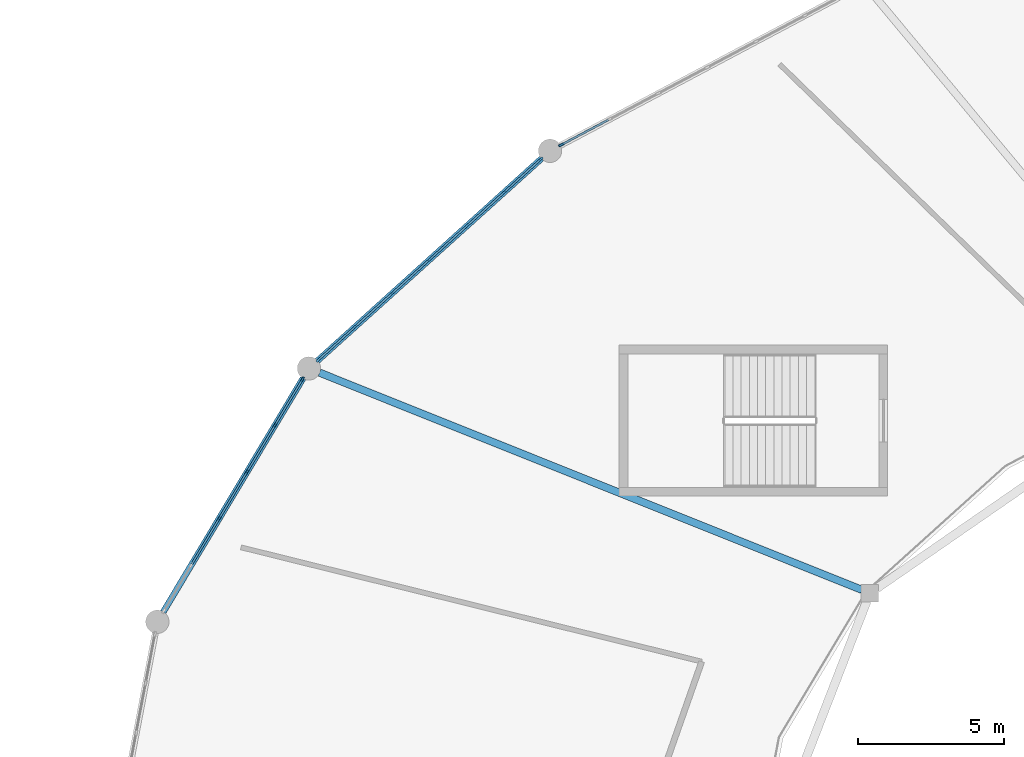
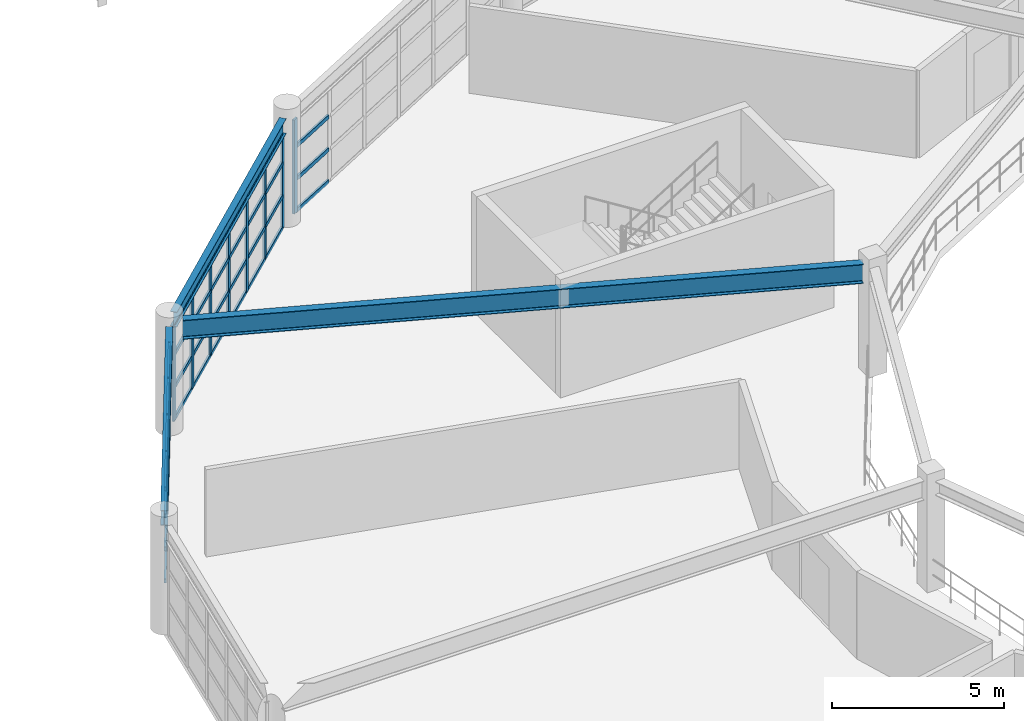
# One storey, part 35 of 100: 55 members, 3 beams, 3 elements without a shape of their own.
"""IFC4 building model written with IfcOpenShell, lengths in metres."""

from ifc_helpers import new_model, si_unit, direction, frame, origin, origin_2d, place, context, subcontext, project, spatial, rectangle, i_section, extrude, material, layer, layer_set, material_profile, profile_set, type_object, element, aggregate, save


model = new_model("IFC4")

# Units and contexts
model_context = context("Model", 3, precision=1e-05, world=origin(), true_north=direction((0.0, 1.0)))
body_context = subcontext(model_context, "Body", "Model", "MODEL_VIEW")
ifc_project = project(units=[si_unit("LENGTHUNIT", "METRE"), si_unit("AREAUNIT", "SQUARE_METRE"), si_unit("VOLUMEUNIT", "CUBIC_METRE"), si_unit("PLANEANGLEUNIT", "RADIAN"), si_unit("MASSUNIT", "GRAM", prefix="KILO")], contexts=[model_context])

# Site, building, storey
site_placement = place(None, origin())
site = spatial("IfcSite", under=ifc_project, at=site_placement, CompositionType="ELEMENT")
building_placement = place(site_placement, origin())
building = spatial("IfcBuilding", under=site, at=building_placement, Name="Kivolera Central Railway Station", CompositionType="ELEMENT")
storey_placement = place(building_placement, frame((0.0, 0.0, 5.39990234375)))
storey = spatial("IfcBuildingStorey", under=building, at=storey_placement, Name="L01", CompositionType="ELEMENT", Elevation=5.39990234375)

# Beams
ifc_material_1 = material(Name="Steel S355", Category="steel")
ifc_material_profile_1 = material_profile(ifc_material_1, i_section(OverallWidth=0.209228515625, OverallDepth=0.533203125, WebThickness=0.010009765625, FlangeThickness=0.015625, FilletRadius=0.0126953125, at=origin_2d()), Name="UB 533x210x92")
ifc_profile_set_1 = profile_set([ifc_material_profile_1], Name="Steel S355")
beam_type_1 = type_object("IfcBeamType", Name="BM-SHD-UB533", PredefinedType="BEAM", material=ifc_profile_set_1)
beam_1_placement = place(storey_placement, frame((26.93994140625, 115.195068359375, 3.611083984375), z_axis=(-0.742356199881, -0.670005427215, 0.0), x_axis=(0.670005427215, -0.742356199881, 0.0)))
element("IfcBeam", 1, at=beam_1_placement, inside=storey, type_object=beam_type_1, Name="L01 Oval Perimeter Ring Beam 10", PredefinedType="BEAM", context=body_context, shape_type="SweptSolid", body=[
    extrude(i_section(OverallWidth=0.209228515625, OverallDepth=0.533203125, WebThickness=0.010009765625, FlangeThickness=0.015625, FilletRadius=0.0126953125, at=origin_2d()), origin(), (0.0, 0.0, 1.0), 10.349365234375),
])
beam_2_placement = place(storey_placement, frame((18.76708984375, 107.6650390625, 3.611083984375), z_axis=(-0.513503459376, -0.858087523047, 0.0), x_axis=(0.858087523047, -0.513503459376, 0.0)))
element("IfcBeam", 2, at=beam_2_placement, inside=storey, type_object=beam_type_1, Name="L01 Oval Perimeter Ring Beam 11", PredefinedType="BEAM", context=body_context, shape_type="SweptSolid", body=[
    extrude(i_section(OverallWidth=0.209228515625, OverallDepth=0.533203125, WebThickness=0.010009765625, FlangeThickness=0.015625, FilletRadius=0.0126953125, at=origin_2d()), origin(), (0.0, 0.0, 1.0), 9.338134765625),
])
ifc_material_profile_2 = material_profile(ifc_material_1, i_section(OverallWidth=0.253662109375, OverallDepth=0.68359375, WebThickness=0.012451171875, FlangeThickness=0.01904296875, FilletRadius=0.01513671875, at=origin_2d()), Name="UB 686x254x140")
ifc_profile_set_2 = profile_set([ifc_material_profile_2], Name="Steel S355")
beam_type_2 = type_object("IfcBeamType", Name="BM-SHD-UB686", PredefinedType="BEAM", material=ifc_profile_set_2)
beam_3_placement = place(storey_placement, frame((37.9208984375, 100.408935546875, 3.5361328125), z_axis=(-0.928316028373, 0.371792080961, 0.0), x_axis=(-0.371792080961, -0.928316028373, 0.0)))
element("IfcBeam", 3, at=beam_3_placement, inside=storey, type_object=beam_type_2, Name="L01 Oval Gallery Radial Girder 06", PredefinedType="BEAM", context=body_context, shape_type="SweptSolid", body=[
    extrude(i_section(OverallWidth=0.253662109375, OverallDepth=0.68359375, WebThickness=0.012451171875, FlangeThickness=0.01904296875, FilletRadius=0.01513671875, at=origin_2d()), origin(), (0.0, 0.0, 1.0), 20.02734375),
])

# Curtain wall, member
ifc_material_2 = material(Name="Anodised aluminium", Category="aluminium")
ifc_layer_1 = layer(ifc_material_2, 0.179931640625, Name="Anodised aluminium")
ifc_layer_set_1 = layer_set([ifc_layer_1], Name="Anodised aluminium")
curtain_wall_type_1 = type_object("IfcCurtainWallType", Name="CW-SYS-08", PredefinedType="NOTDEFINED", material=ifc_layer_set_1)
curtain_wall_1_placement = place(storey_placement, origin())
curtain_wall_1 = element("IfcCurtainWall", 4, at=curtain_wall_1_placement, inside=storey, type_object=curtain_wall_type_1, Name="L01 Curtain Wall CW-L01-OVL-08", PredefinedType="NOTDEFINED")
ifc_material_profile_3 = material_profile(ifc_material_2, rectangle(XDim=0.070068359375, YDim=0.179931640625, at=origin_2d()), Name="ALU MULL 70x180")
ifc_profile_set_3 = profile_set([ifc_material_profile_3], Name="Anodised aluminium")
member_type_1 = type_object("IfcMemberType", Name="CWM-MUL-1", PredefinedType="MULLION", material=ifc_profile_set_3)
member_1_placement = place(storey_placement, frame((27.614013671875, 115.660400390625, -0.0048828125), z_axis=(0.0, 0.0, 1.0), x_axis=(-0.469052563023, 0.883170251493, 0.0)))
member_1 = element("IfcMember", 5, at=member_1_placement, type_object=member_type_1, Name="CW-08 mullion 1", PredefinedType="MULLION", context=body_context, shape_type="SweptSolid", body=[
    extrude(rectangle(XDim=0.070068359375, YDim=0.179931640625, at=origin_2d()), origin(), (0.0, 0.0, 1.0), 3.344970703125),
])

# Curtain wall, members
ifc_layer_2 = layer(ifc_material_2, 0.179931640625, Name="Anodised aluminium")
ifc_layer_set_2 = layer_set([ifc_layer_2], Name="Anodised aluminium")
curtain_wall_type_2 = type_object("IfcCurtainWallType", Name="CW-SYS-05", PredefinedType="NOTDEFINED", material=ifc_layer_set_2)
curtain_wall_2_placement = place(storey_placement, origin())
curtain_wall_2 = element("IfcCurtainWall", 6, at=curtain_wall_2_placement, inside=storey, type_object=curtain_wall_type_2, Name="L01 Curtain Wall CW-L01-OVL-09", PredefinedType="NOTDEFINED")
member_2_placement = place(storey_placement, frame((19.2900390625, 108.29150390625, -0.0048828125), z_axis=(0.0, 0.0, 1.0), x_axis=(-0.66992157428, 0.742431871833, 0.0)))
member_2 = element("IfcMember", 7, at=member_2_placement, type_object=member_type_1, Name="CW-05 mullion 1", PredefinedType="MULLION", context=body_context, shape_type="SweptSolid", body=[
    extrude(rectangle(XDim=0.070068359375, YDim=0.179931640625, at=origin_2d()), origin(), (0.0, 0.0, 1.0), 3.344970703125),
])
member_3_placement = place(storey_placement, frame((20.542236328125, 109.42138671875, -0.0048828125), z_axis=(0.0, 0.0, 1.0), x_axis=(-0.66992157428, 0.742431871833, 0.0)))
member_3 = element("IfcMember", 8, at=member_3_placement, type_object=member_type_1, Name="CW-05 mullion 2", PredefinedType="MULLION", context=body_context, shape_type="SweptSolid", body=[
    extrude(rectangle(XDim=0.070068359375, YDim=0.179931640625, at=origin_2d()), origin(), (0.0, 0.0, 1.0), 3.344970703125),
])
member_4_placement = place(storey_placement, frame((21.8203125, 110.57470703125, -0.0048828125), z_axis=(0.0, 0.0, 1.0), x_axis=(-0.66992157428, 0.742431871833, 0.0)))
member_4 = element("IfcMember", 9, at=member_4_placement, type_object=member_type_1, Name="CW-05 mullion 3", PredefinedType="MULLION", context=body_context, shape_type="SweptSolid", body=[
    extrude(rectangle(XDim=0.070068359375, YDim=0.179931640625, at=origin_2d()), origin(), (0.0, 0.0, 1.0), 3.344970703125),
])
member_5_placement = place(storey_placement, frame((23.098388671875, 111.72802734375, -0.0048828125), z_axis=(0.0, 0.0, 1.0), x_axis=(-0.66992157428, 0.742431871833, 0.0)))
member_5 = element("IfcMember", 10, at=member_5_placement, type_object=member_type_1, Name="CW-05 mullion 4", PredefinedType="MULLION", context=body_context, shape_type="SweptSolid", body=[
    extrude(rectangle(XDim=0.070068359375, YDim=0.179931640625, at=origin_2d()), origin(), (0.0, 0.0, 1.0), 3.344970703125),
])
member_6_placement = place(storey_placement, frame((24.376708984375, 112.88134765625, -0.0048828125), z_axis=(0.0, 0.0, 1.0), x_axis=(-0.66992157428, 0.742431871833, 0.0)))
member_6 = element("IfcMember", 11, at=member_6_placement, type_object=member_type_1, Name="CW-05 mullion 5", PredefinedType="MULLION", context=body_context, shape_type="SweptSolid", body=[
    extrude(rectangle(XDim=0.070068359375, YDim=0.179931640625, at=origin_2d()), origin(), (0.0, 0.0, 1.0), 3.344970703125),
])
member_7_placement = place(storey_placement, frame((25.65478515625, 114.03466796875, -0.0048828125), z_axis=(0.0, 0.0, 1.0), x_axis=(-0.66992157428, 0.742431871833, 0.0)))
member_7 = element("IfcMember", 12, at=member_7_placement, type_object=member_type_1, Name="CW-05 mullion 6", PredefinedType="MULLION", context=body_context, shape_type="SweptSolid", body=[
    extrude(rectangle(XDim=0.070068359375, YDim=0.179931640625, at=origin_2d()), origin(), (0.0, 0.0, 1.0), 3.344970703125),
])
member_8_placement = place(storey_placement, frame((26.906982421875, 115.16455078125, -0.0048828125), z_axis=(0.0, 0.0, 1.0), x_axis=(-0.66992157428, 0.742431871833, 0.0)))
member_8 = element("IfcMember", 13, at=member_8_placement, type_object=member_type_1, Name="CW-05 mullion 7", PredefinedType="MULLION", context=body_context, shape_type="SweptSolid", body=[
    extrude(rectangle(XDim=0.070068359375, YDim=0.179931640625, at=origin_2d()), origin(), (0.0, 0.0, 1.0), 3.344970703125),
])

ifc_layer_3 = layer(ifc_material_2, 0.179931640625, Name="Anodised aluminium")
ifc_layer_set_3 = layer_set([ifc_layer_3], Name="Anodised aluminium")
curtain_wall_type_3 = type_object("IfcCurtainWallType", Name="CW-SYS-02", PredefinedType="NOTDEFINED", material=ifc_layer_set_3)
curtain_wall_3_placement = place(storey_placement, origin())
curtain_wall_3 = element("IfcCurtainWall", 14, at=curtain_wall_3_placement, inside=storey, type_object=curtain_wall_type_3, Name="L01 Curtain Wall CW-L01-OVL-10", PredefinedType="NOTDEFINED")
member_9_placement = place(storey_placement, frame((15.89111328125, 102.85888671875, -0.0048828125), z_axis=(0.0, 0.0, 1.0), x_axis=(-0.858117186396, 0.513453887327, 0.0)))
member_9 = element("IfcMember", 15, at=member_9_placement, type_object=member_type_1, Name="CW-02 mullion 3", PredefinedType="MULLION", context=body_context, shape_type="SweptSolid", body=[
    extrude(rectangle(XDim=0.070068359375, YDim=0.179931640625, at=origin_2d()), origin(), (0.0, 0.0, 1.0), 3.344970703125),
])
member_10_placement = place(storey_placement, frame((16.847900390625, 104.458251953125, -0.0048828125), z_axis=(0.0, 0.0, 1.0), x_axis=(-0.858117186396, 0.513453887327, 0.0)))
member_10 = element("IfcMember", 16, at=member_10_placement, type_object=member_type_1, Name="CW-02 mullion 4", PredefinedType="MULLION", context=body_context, shape_type="SweptSolid", body=[
    extrude(rectangle(XDim=0.070068359375, YDim=0.179931640625, at=origin_2d()), origin(), (0.0, 0.0, 1.0), 3.344970703125),
])
member_11_placement = place(storey_placement, frame((17.804931640625, 106.0576171875, -0.0048828125), z_axis=(0.0, 0.0, 1.0), x_axis=(-0.858117186396, 0.513453887327, 0.0)))
member_11 = element("IfcMember", 17, at=member_11_placement, type_object=member_type_1, Name="CW-02 mullion 5", PredefinedType="MULLION", context=body_context, shape_type="SweptSolid", body=[
    extrude(rectangle(XDim=0.070068359375, YDim=0.179931640625, at=origin_2d()), origin(), (0.0, 0.0, 1.0), 3.344970703125),
])
member_12_placement = place(storey_placement, frame((18.744140625, 107.626953125, -0.0048828125), z_axis=(0.0, 0.0, 1.0), x_axis=(-0.858117186396, 0.513453887327, 0.0)))
member_12 = element("IfcMember", 18, at=member_12_placement, type_object=member_type_1, Name="CW-02 mullion 6", PredefinedType="MULLION", context=body_context, shape_type="SweptSolid", body=[
    extrude(rectangle(XDim=0.070068359375, YDim=0.179931640625, at=origin_2d()), origin(), (0.0, 0.0, 1.0), 3.344970703125),
])

# Member
ifc_material_profile_4 = material_profile(ifc_material_2, rectangle(XDim=0.070068359375, YDim=0.139892578125, at=origin_2d()), Name="ALU TRAN 70x140")
ifc_profile_set_4 = profile_set([ifc_material_profile_4], Name="Anodised aluminium")
member_type_2 = type_object("IfcMemberType", Name="CWM-TRN-1", PredefinedType="USERDEFINED", material=ifc_profile_set_4)
member_13_placement = place(storey_placement, frame((27.644775390625, 115.6767578125, 0.03515625), z_axis=(0.883191460259, 0.469012627255, 0.0), x_axis=(-0.469012627255, 0.883191460259, 0.0)))
member_13 = element("IfcMember", 19, at=member_13_placement, type_object=member_type_2, Name="CW-08 transom 1.1", ObjectType="TRANSOM", PredefinedType="USERDEFINED", context=body_context, shape_type="SweptSolid", body=[
    extrude(rectangle(XDim=0.070068359375, YDim=0.139892578125, at=origin_2d()), origin(), (0.0, 0.0, 1.0), 1.794189453125),
])

member_14_placement = place(storey_placement, frame((27.644775390625, 115.6767578125, 1.169189453125), z_axis=(0.883191460259, 0.469012627255, 0.0), x_axis=(-0.469012627255, 0.883191460259, 0.0)))
member_14 = element("IfcMember", 20, at=member_14_placement, type_object=member_type_2, Name="CW-08 transom 1.2", ObjectType="TRANSOM", PredefinedType="USERDEFINED", context=body_context, shape_type="SweptSolid", body=[
    extrude(rectangle(XDim=0.070068359375, YDim=0.139892578125, at=origin_2d()), origin(), (0.0, 0.0, 1.0), 1.794189453125),
])

member_15_placement = place(storey_placement, frame((27.644775390625, 115.6767578125, 2.338134765625), z_axis=(0.883191460259, 0.469012627255, 0.0), x_axis=(-0.469012627255, 0.883191460259, 0.0)))
member_15 = element("IfcMember", 21, at=member_15_placement, type_object=member_type_2, Name="CW-08 transom 1.3", ObjectType="TRANSOM", PredefinedType="USERDEFINED", context=body_context, shape_type="SweptSolid", body=[
    extrude(rectangle(XDim=0.070068359375, YDim=0.139892578125, at=origin_2d()), origin(), (0.0, 0.0, 1.0), 1.794189453125),
])

aggregate(curtain_wall_1, [member_1, member_13, member_14, member_15])

member_16_placement = place(storey_placement, frame((19.31591796875, 108.31494140625, 0.03515625), z_axis=(0.742422429893, 0.66993203804, 0.0), x_axis=(-0.66993203804, 0.742422429893, 0.0)))
member_16 = element("IfcMember", 22, at=member_16_placement, type_object=member_type_2, Name="CW-05 transom 1.1", ObjectType="TRANSOM", PredefinedType="USERDEFINED", context=body_context, shape_type="SweptSolid", body=[
    extrude(rectangle(XDim=0.070068359375, YDim=0.139892578125, at=origin_2d()), origin(), (0.0, 0.0, 1.0), 1.61669921875),
])

member_17_placement = place(storey_placement, frame((19.31591796875, 108.31494140625, 1.169189453125), z_axis=(0.742422429893, 0.66993203804, 0.0), x_axis=(-0.66993203804, 0.742422429893, 0.0)))
member_17 = element("IfcMember", 23, at=member_17_placement, type_object=member_type_2, Name="CW-05 transom 1.2", ObjectType="TRANSOM", PredefinedType="USERDEFINED", context=body_context, shape_type="SweptSolid", body=[
    extrude(rectangle(XDim=0.070068359375, YDim=0.139892578125, at=origin_2d()), origin(), (0.0, 0.0, 1.0), 1.61669921875),
])

member_18_placement = place(storey_placement, frame((19.31591796875, 108.31494140625, 2.338134765625), z_axis=(0.742422429893, 0.66993203804, 0.0), x_axis=(-0.66993203804, 0.742422429893, 0.0)))
member_18 = element("IfcMember", 24, at=member_18_placement, type_object=member_type_2, Name="CW-05 transom 1.3", ObjectType="TRANSOM", PredefinedType="USERDEFINED", context=body_context, shape_type="SweptSolid", body=[
    extrude(rectangle(XDim=0.070068359375, YDim=0.139892578125, at=origin_2d()), origin(), (0.0, 0.0, 1.0), 1.61669921875),
])

member_19_placement = place(storey_placement, frame((19.31591796875, 108.31494140625, 3.30517578125), z_axis=(0.742422429893, 0.66993203804, 0.0), x_axis=(-0.66993203804, 0.742422429893, 0.0)))
member_19 = element("IfcMember", 25, at=member_19_placement, type_object=member_type_2, Name="CW-05 transom 1.4", ObjectType="TRANSOM", PredefinedType="USERDEFINED", context=body_context, shape_type="SweptSolid", body=[
    extrude(rectangle(XDim=0.070068359375, YDim=0.139892578125, at=origin_2d()), origin(), (0.0, 0.0, 1.0), 1.61669921875),
])

member_20_placement = place(storey_placement, frame((20.568115234375, 109.44482421875, 0.03515625), z_axis=(0.74246304586, 0.669887024455, 0.0), x_axis=(-0.669887024455, 0.74246304586, 0.0)))
member_20 = element("IfcMember", 26, at=member_20_placement, type_object=member_type_2, Name="CW-05 transom 2.1", ObjectType="TRANSOM", PredefinedType="USERDEFINED", context=body_context, shape_type="SweptSolid", body=[
    extrude(rectangle(XDim=0.070068359375, YDim=0.139892578125, at=origin_2d()), origin(), (0.0, 0.0, 1.0), 1.651611328125),
])

member_21_placement = place(storey_placement, frame((20.568115234375, 109.44482421875, 1.169189453125), z_axis=(0.74246304586, 0.669887024455, 0.0), x_axis=(-0.669887024455, 0.74246304586, 0.0)))
member_21 = element("IfcMember", 27, at=member_21_placement, type_object=member_type_2, Name="CW-05 transom 2.2", ObjectType="TRANSOM", PredefinedType="USERDEFINED", context=body_context, shape_type="SweptSolid", body=[
    extrude(rectangle(XDim=0.070068359375, YDim=0.139892578125, at=origin_2d()), origin(), (0.0, 0.0, 1.0), 1.651611328125),
])

member_22_placement = place(storey_placement, frame((20.568115234375, 109.44482421875, 2.338134765625), z_axis=(0.74246304586, 0.669887024455, 0.0), x_axis=(-0.669887024455, 0.74246304586, 0.0)))
member_22 = element("IfcMember", 28, at=member_22_placement, type_object=member_type_2, Name="CW-05 transom 2.3", ObjectType="TRANSOM", PredefinedType="USERDEFINED", context=body_context, shape_type="SweptSolid", body=[
    extrude(rectangle(XDim=0.070068359375, YDim=0.139892578125, at=origin_2d()), origin(), (0.0, 0.0, 1.0), 1.651611328125),
])

member_23_placement = place(storey_placement, frame((20.568115234375, 109.44482421875, 3.30517578125), z_axis=(0.74246304586, 0.669887024455, 0.0), x_axis=(-0.669887024455, 0.74246304586, 0.0)))
member_23 = element("IfcMember", 29, at=member_23_placement, type_object=member_type_2, Name="CW-05 transom 2.4", ObjectType="TRANSOM", PredefinedType="USERDEFINED", context=body_context, shape_type="SweptSolid", body=[
    extrude(rectangle(XDim=0.070068359375, YDim=0.139892578125, at=origin_2d()), origin(), (0.0, 0.0, 1.0), 1.651611328125),
])

member_24_placement = place(storey_placement, frame((21.846435546875, 110.59814453125, 0.03515625), z_axis=(0.742396704206, 0.669960546289, 0.0), x_axis=(-0.669960546289, 0.742396704206, 0.0)))
member_24 = element("IfcMember", 30, at=member_24_placement, type_object=member_type_2, Name="CW-05 transom 3.1", ObjectType="TRANSOM", PredefinedType="USERDEFINED", context=body_context, shape_type="SweptSolid", body=[
    extrude(rectangle(XDim=0.070068359375, YDim=0.139892578125, at=origin_2d()), origin(), (0.0, 0.0, 1.0), 1.651611328125),
])

member_25_placement = place(storey_placement, frame((21.846435546875, 110.59814453125, 1.169189453125), z_axis=(0.742396704206, 0.669960546289, 0.0), x_axis=(-0.669960546289, 0.742396704206, 0.0)))
member_25 = element("IfcMember", 31, at=member_25_placement, type_object=member_type_2, Name="CW-05 transom 3.2", ObjectType="TRANSOM", PredefinedType="USERDEFINED", context=body_context, shape_type="SweptSolid", body=[
    extrude(rectangle(XDim=0.070068359375, YDim=0.139892578125, at=origin_2d()), origin(), (0.0, 0.0, 1.0), 1.651611328125),
])

member_26_placement = place(storey_placement, frame((21.846435546875, 110.59814453125, 2.338134765625), z_axis=(0.742396704206, 0.669960546289, 0.0), x_axis=(-0.669960546289, 0.742396704206, 0.0)))
member_26 = element("IfcMember", 32, at=member_26_placement, type_object=member_type_2, Name="CW-05 transom 3.3", ObjectType="TRANSOM", PredefinedType="USERDEFINED", context=body_context, shape_type="SweptSolid", body=[
    extrude(rectangle(XDim=0.070068359375, YDim=0.139892578125, at=origin_2d()), origin(), (0.0, 0.0, 1.0), 1.651611328125),
])

member_27_placement = place(storey_placement, frame((21.846435546875, 110.59814453125, 3.30517578125), z_axis=(0.742396704206, 0.669960546289, 0.0), x_axis=(-0.669960546289, 0.742396704206, 0.0)))
member_27 = element("IfcMember", 33, at=member_27_placement, type_object=member_type_2, Name="CW-05 transom 3.4", ObjectType="TRANSOM", PredefinedType="USERDEFINED", context=body_context, shape_type="SweptSolid", body=[
    extrude(rectangle(XDim=0.070068359375, YDim=0.139892578125, at=origin_2d()), origin(), (0.0, 0.0, 1.0), 1.651611328125),
])

member_28_placement = place(storey_placement, frame((23.12451171875, 111.75146484375, 0.03515625), z_axis=(0.742396704206, 0.669960546289, 0.0), x_axis=(-0.669960546289, 0.742396704206, 0.0)))
member_28 = element("IfcMember", 34, at=member_28_placement, type_object=member_type_2, Name="CW-05 transom 4.1", ObjectType="TRANSOM", PredefinedType="USERDEFINED", context=body_context, shape_type="SweptSolid", body=[
    extrude(rectangle(XDim=0.070068359375, YDim=0.139892578125, at=origin_2d()), origin(), (0.0, 0.0, 1.0), 1.651611328125),
])

member_29_placement = place(storey_placement, frame((23.12451171875, 111.75146484375, 1.169189453125), z_axis=(0.742396704206, 0.669960546289, 0.0), x_axis=(-0.669960546289, 0.742396704206, 0.0)))
member_29 = element("IfcMember", 35, at=member_29_placement, type_object=member_type_2, Name="CW-05 transom 4.2", ObjectType="TRANSOM", PredefinedType="USERDEFINED", context=body_context, shape_type="SweptSolid", body=[
    extrude(rectangle(XDim=0.070068359375, YDim=0.139892578125, at=origin_2d()), origin(), (0.0, 0.0, 1.0), 1.651611328125),
])

member_30_placement = place(storey_placement, frame((23.12451171875, 111.75146484375, 2.338134765625), z_axis=(0.742396704206, 0.669960546289, 0.0), x_axis=(-0.669960546289, 0.742396704206, 0.0)))
member_30 = element("IfcMember", 36, at=member_30_placement, type_object=member_type_2, Name="CW-05 transom 4.3", ObjectType="TRANSOM", PredefinedType="USERDEFINED", context=body_context, shape_type="SweptSolid", body=[
    extrude(rectangle(XDim=0.070068359375, YDim=0.139892578125, at=origin_2d()), origin(), (0.0, 0.0, 1.0), 1.651611328125),
])

member_31_placement = place(storey_placement, frame((23.12451171875, 111.75146484375, 3.30517578125), z_axis=(0.742396704206, 0.669960546289, 0.0), x_axis=(-0.669960546289, 0.742396704206, 0.0)))
member_31 = element("IfcMember", 37, at=member_31_placement, type_object=member_type_2, Name="CW-05 transom 4.4", ObjectType="TRANSOM", PredefinedType="USERDEFINED", context=body_context, shape_type="SweptSolid", body=[
    extrude(rectangle(XDim=0.070068359375, YDim=0.139892578125, at=origin_2d()), origin(), (0.0, 0.0, 1.0), 1.651611328125),
])

member_32_placement = place(storey_placement, frame((24.402587890625, 112.90478515625, 0.03515625), z_axis=(0.74246304586, 0.669887024455, 0.0), x_axis=(-0.669887024455, 0.74246304586, 0.0)))
member_32 = element("IfcMember", 38, at=member_32_placement, type_object=member_type_2, Name="CW-05 transom 5.1", ObjectType="TRANSOM", PredefinedType="USERDEFINED", context=body_context, shape_type="SweptSolid", body=[
    extrude(rectangle(XDim=0.070068359375, YDim=0.139892578125, at=origin_2d()), origin(), (0.0, 0.0, 1.0), 1.651611328125),
])

member_33_placement = place(storey_placement, frame((24.402587890625, 112.90478515625, 1.169189453125), z_axis=(0.74246304586, 0.669887024455, 0.0), x_axis=(-0.669887024455, 0.74246304586, 0.0)))
member_33 = element("IfcMember", 39, at=member_33_placement, type_object=member_type_2, Name="CW-05 transom 5.2", ObjectType="TRANSOM", PredefinedType="USERDEFINED", context=body_context, shape_type="SweptSolid", body=[
    extrude(rectangle(XDim=0.070068359375, YDim=0.139892578125, at=origin_2d()), origin(), (0.0, 0.0, 1.0), 1.651611328125),
])

member_34_placement = place(storey_placement, frame((24.402587890625, 112.90478515625, 2.338134765625), z_axis=(0.74246304586, 0.669887024455, 0.0), x_axis=(-0.669887024455, 0.74246304586, 0.0)))
member_34 = element("IfcMember", 40, at=member_34_placement, type_object=member_type_2, Name="CW-05 transom 5.3", ObjectType="TRANSOM", PredefinedType="USERDEFINED", context=body_context, shape_type="SweptSolid", body=[
    extrude(rectangle(XDim=0.070068359375, YDim=0.139892578125, at=origin_2d()), origin(), (0.0, 0.0, 1.0), 1.651611328125),
])

member_35_placement = place(storey_placement, frame((24.402587890625, 112.90478515625, 3.30517578125), z_axis=(0.74246304586, 0.669887024455, 0.0), x_axis=(-0.669887024455, 0.74246304586, 0.0)))
member_35 = element("IfcMember", 41, at=member_35_placement, type_object=member_type_2, Name="CW-05 transom 5.4", ObjectType="TRANSOM", PredefinedType="USERDEFINED", context=body_context, shape_type="SweptSolid", body=[
    extrude(rectangle(XDim=0.070068359375, YDim=0.139892578125, at=origin_2d()), origin(), (0.0, 0.0, 1.0), 1.651611328125),
])

member_36_placement = place(storey_placement, frame((25.680908203125, 114.05810546875, 0.03515625), z_axis=(0.742422429893, 0.66993203804, 0.0), x_axis=(-0.66993203804, 0.742422429893, 0.0)))
member_36 = element("IfcMember", 42, at=member_36_placement, type_object=member_type_2, Name="CW-05 transom 6.1", ObjectType="TRANSOM", PredefinedType="USERDEFINED", context=body_context, shape_type="SweptSolid", body=[
    extrude(rectangle(XDim=0.070068359375, YDim=0.139892578125, at=origin_2d()), origin(), (0.0, 0.0, 1.0), 1.61669921875),
])

member_37_placement = place(storey_placement, frame((25.680908203125, 114.05810546875, 1.169189453125), z_axis=(0.742422429893, 0.66993203804, 0.0), x_axis=(-0.66993203804, 0.742422429893, 0.0)))
member_37 = element("IfcMember", 43, at=member_37_placement, type_object=member_type_2, Name="CW-05 transom 6.2", ObjectType="TRANSOM", PredefinedType="USERDEFINED", context=body_context, shape_type="SweptSolid", body=[
    extrude(rectangle(XDim=0.070068359375, YDim=0.139892578125, at=origin_2d()), origin(), (0.0, 0.0, 1.0), 1.61669921875),
])

member_38_placement = place(storey_placement, frame((25.680908203125, 114.05810546875, 2.338134765625), z_axis=(0.742422429893, 0.66993203804, 0.0), x_axis=(-0.66993203804, 0.742422429893, 0.0)))
member_38 = element("IfcMember", 44, at=member_38_placement, type_object=member_type_2, Name="CW-05 transom 6.3", ObjectType="TRANSOM", PredefinedType="USERDEFINED", context=body_context, shape_type="SweptSolid", body=[
    extrude(rectangle(XDim=0.070068359375, YDim=0.139892578125, at=origin_2d()), origin(), (0.0, 0.0, 1.0), 1.61669921875),
])

member_39_placement = place(storey_placement, frame((25.680908203125, 114.05810546875, 3.30517578125), z_axis=(0.742422429893, 0.66993203804, 0.0), x_axis=(-0.66993203804, 0.742422429893, 0.0)))
member_39 = element("IfcMember", 45, at=member_39_placement, type_object=member_type_2, Name="CW-05 transom 6.4", ObjectType="TRANSOM", PredefinedType="USERDEFINED", context=body_context, shape_type="SweptSolid", body=[
    extrude(rectangle(XDim=0.070068359375, YDim=0.139892578125, at=origin_2d()), origin(), (0.0, 0.0, 1.0), 1.61669921875),
])

aggregate(curtain_wall_2, [member_2, member_3, member_4, member_5, member_6, member_7, member_8, member_16, member_17, member_18, member_19, member_20, member_21, member_22, member_23, member_24, member_25, member_26, member_27, member_28, member_29, member_30, member_31, member_32, member_33, member_34, member_35, member_36, member_37, member_38, member_39])

member_40_placement = place(storey_placement, frame((14.951904296875, 101.28955078125, 0.03515625), z_axis=(0.513494690452, 0.858092770554, 0.0), x_axis=(-0.858092770554, 0.513494690452, 0.0)))
member_40 = element("IfcMember", 46, at=member_40_placement, type_object=member_type_2, Name="CW-02 transom 2.1", ObjectType="TRANSOM", PredefinedType="USERDEFINED", context=body_context, shape_type="SweptSolid", body=[
    extrude(rectangle(XDim=0.070068359375, YDim=0.139892578125, at=origin_2d()), origin(), (0.0, 0.0, 1.0), 1.7939453125),
])

member_41_placement = place(storey_placement, frame((14.951904296875, 101.28955078125, 1.169189453125), z_axis=(0.513494690452, 0.858092770554, 0.0), x_axis=(-0.858092770554, 0.513494690452, 0.0)))
member_41 = element("IfcMember", 47, at=member_41_placement, type_object=member_type_2, Name="CW-02 transom 2.2", ObjectType="TRANSOM", PredefinedType="USERDEFINED", context=body_context, shape_type="SweptSolid", body=[
    extrude(rectangle(XDim=0.070068359375, YDim=0.139892578125, at=origin_2d()), origin(), (0.0, 0.0, 1.0), 1.7939453125),
])

member_42_placement = place(storey_placement, frame((14.951904296875, 101.28955078125, 2.338134765625), z_axis=(0.513494690452, 0.858092770554, 0.0), x_axis=(-0.858092770554, 0.513494690452, 0.0)))
member_42 = element("IfcMember", 48, at=member_42_placement, type_object=member_type_2, Name="CW-02 transom 2.3", ObjectType="TRANSOM", PredefinedType="USERDEFINED", context=body_context, shape_type="SweptSolid", body=[
    extrude(rectangle(XDim=0.070068359375, YDim=0.139892578125, at=origin_2d()), origin(), (0.0, 0.0, 1.0), 1.7939453125),
])

member_43_placement = place(storey_placement, frame((14.951904296875, 101.28955078125, 3.30517578125), z_axis=(0.513494690452, 0.858092770554, 0.0), x_axis=(-0.858092770554, 0.513494690452, 0.0)))
member_43 = element("IfcMember", 49, at=member_43_placement, type_object=member_type_2, Name="CW-02 transom 2.4", ObjectType="TRANSOM", PredefinedType="USERDEFINED", context=body_context, shape_type="SweptSolid", body=[
    extrude(rectangle(XDim=0.070068359375, YDim=0.139892578125, at=origin_2d()), origin(), (0.0, 0.0, 1.0), 1.7939453125),
])

member_44_placement = place(storey_placement, frame((15.908935546875, 102.888916015625, 0.03515625), z_axis=(0.513494690452, 0.858092770554, 0.0), x_axis=(-0.858092770554, 0.513494690452, 0.0)))
member_44 = element("IfcMember", 50, at=member_44_placement, type_object=member_type_2, Name="CW-02 transom 3.1", ObjectType="TRANSOM", PredefinedType="USERDEFINED", context=body_context, shape_type="SweptSolid", body=[
    extrude(rectangle(XDim=0.070068359375, YDim=0.139892578125, at=origin_2d()), origin(), (0.0, 0.0, 1.0), 1.7939453125),
])

member_45_placement = place(storey_placement, frame((15.908935546875, 102.888916015625, 1.169189453125), z_axis=(0.513494690452, 0.858092770554, 0.0), x_axis=(-0.858092770554, 0.513494690452, 0.0)))
member_45 = element("IfcMember", 51, at=member_45_placement, type_object=member_type_2, Name="CW-02 transom 3.2", ObjectType="TRANSOM", PredefinedType="USERDEFINED", context=body_context, shape_type="SweptSolid", body=[
    extrude(rectangle(XDim=0.070068359375, YDim=0.139892578125, at=origin_2d()), origin(), (0.0, 0.0, 1.0), 1.7939453125),
])

member_46_placement = place(storey_placement, frame((15.908935546875, 102.888916015625, 2.338134765625), z_axis=(0.513494690452, 0.858092770554, 0.0), x_axis=(-0.858092770554, 0.513494690452, 0.0)))
member_46 = element("IfcMember", 52, at=member_46_placement, type_object=member_type_2, Name="CW-02 transom 3.3", ObjectType="TRANSOM", PredefinedType="USERDEFINED", context=body_context, shape_type="SweptSolid", body=[
    extrude(rectangle(XDim=0.070068359375, YDim=0.139892578125, at=origin_2d()), origin(), (0.0, 0.0, 1.0), 1.7939453125),
])

member_47_placement = place(storey_placement, frame((15.908935546875, 102.888916015625, 3.30517578125), z_axis=(0.513494690452, 0.858092770554, 0.0), x_axis=(-0.858092770554, 0.513494690452, 0.0)))
member_47 = element("IfcMember", 53, at=member_47_placement, type_object=member_type_2, Name="CW-02 transom 3.4", ObjectType="TRANSOM", PredefinedType="USERDEFINED", context=body_context, shape_type="SweptSolid", body=[
    extrude(rectangle(XDim=0.070068359375, YDim=0.139892578125, at=origin_2d()), origin(), (0.0, 0.0, 1.0), 1.7939453125),
])

member_48_placement = place(storey_placement, frame((16.865966796875, 104.48828125, 0.03515625), z_axis=(0.513494690452, 0.858092770554, 0.0), x_axis=(-0.858092770554, 0.513494690452, 0.0)))
member_48 = element("IfcMember", 54, at=member_48_placement, type_object=member_type_2, Name="CW-02 transom 4.1", ObjectType="TRANSOM", PredefinedType="USERDEFINED", context=body_context, shape_type="SweptSolid", body=[
    extrude(rectangle(XDim=0.070068359375, YDim=0.139892578125, at=origin_2d()), origin(), (0.0, 0.0, 1.0), 1.7939453125),
])

member_49_placement = place(storey_placement, frame((16.865966796875, 104.48828125, 1.169189453125), z_axis=(0.513494690452, 0.858092770554, 0.0), x_axis=(-0.858092770554, 0.513494690452, 0.0)))
member_49 = element("IfcMember", 55, at=member_49_placement, type_object=member_type_2, Name="CW-02 transom 4.2", ObjectType="TRANSOM", PredefinedType="USERDEFINED", context=body_context, shape_type="SweptSolid", body=[
    extrude(rectangle(XDim=0.070068359375, YDim=0.139892578125, at=origin_2d()), origin(), (0.0, 0.0, 1.0), 1.7939453125),
])

member_50_placement = place(storey_placement, frame((16.865966796875, 104.48828125, 2.338134765625), z_axis=(0.513494690452, 0.858092770554, 0.0), x_axis=(-0.858092770554, 0.513494690452, 0.0)))
member_50 = element("IfcMember", 56, at=member_50_placement, type_object=member_type_2, Name="CW-02 transom 4.3", ObjectType="TRANSOM", PredefinedType="USERDEFINED", context=body_context, shape_type="SweptSolid", body=[
    extrude(rectangle(XDim=0.070068359375, YDim=0.139892578125, at=origin_2d()), origin(), (0.0, 0.0, 1.0), 1.7939453125),
])

member_51_placement = place(storey_placement, frame((16.865966796875, 104.48828125, 3.30517578125), z_axis=(0.513494690452, 0.858092770554, 0.0), x_axis=(-0.858092770554, 0.513494690452, 0.0)))
member_51 = element("IfcMember", 57, at=member_51_placement, type_object=member_type_2, Name="CW-02 transom 4.4", ObjectType="TRANSOM", PredefinedType="USERDEFINED", context=body_context, shape_type="SweptSolid", body=[
    extrude(rectangle(XDim=0.070068359375, YDim=0.139892578125, at=origin_2d()), origin(), (0.0, 0.0, 1.0), 1.7939453125),
])

member_52_placement = place(storey_placement, frame((17.822998046875, 106.087646484375, 0.03515625), z_axis=(0.513454309114, 0.85811693402, 0.0), x_axis=(-0.85811693402, 0.513454309114, 0.0)))
member_52 = element("IfcMember", 58, at=member_52_placement, type_object=member_type_2, Name="CW-02 transom 5.1", ObjectType="TRANSOM", PredefinedType="USERDEFINED", context=body_context, shape_type="SweptSolid", body=[
    extrude(rectangle(XDim=0.070068359375, YDim=0.139892578125, at=origin_2d()), origin(), (0.0, 0.0, 1.0), 1.7587890625),
])

member_53_placement = place(storey_placement, frame((17.822998046875, 106.087646484375, 1.169189453125), z_axis=(0.513454309114, 0.85811693402, 0.0), x_axis=(-0.85811693402, 0.513454309114, 0.0)))
member_53 = element("IfcMember", 59, at=member_53_placement, type_object=member_type_2, Name="CW-02 transom 5.2", ObjectType="TRANSOM", PredefinedType="USERDEFINED", context=body_context, shape_type="SweptSolid", body=[
    extrude(rectangle(XDim=0.070068359375, YDim=0.139892578125, at=origin_2d()), origin(), (0.0, 0.0, 1.0), 1.7587890625),
])

member_54_placement = place(storey_placement, frame((17.822998046875, 106.087646484375, 2.338134765625), z_axis=(0.513454309114, 0.85811693402, 0.0), x_axis=(-0.85811693402, 0.513454309114, 0.0)))
member_54 = element("IfcMember", 60, at=member_54_placement, type_object=member_type_2, Name="CW-02 transom 5.3", ObjectType="TRANSOM", PredefinedType="USERDEFINED", context=body_context, shape_type="SweptSolid", body=[
    extrude(rectangle(XDim=0.070068359375, YDim=0.139892578125, at=origin_2d()), origin(), (0.0, 0.0, 1.0), 1.7587890625),
])

member_55_placement = place(storey_placement, frame((17.822998046875, 106.087646484375, 3.30517578125), z_axis=(0.513454309114, 0.85811693402, 0.0), x_axis=(-0.85811693402, 0.513454309114, 0.0)))
member_55 = element("IfcMember", 61, at=member_55_placement, type_object=member_type_2, Name="CW-02 transom 5.4", ObjectType="TRANSOM", PredefinedType="USERDEFINED", context=body_context, shape_type="SweptSolid", body=[
    extrude(rectangle(XDim=0.070068359375, YDim=0.139892578125, at=origin_2d()), origin(), (0.0, 0.0, 1.0), 1.7587890625),
])

aggregate(curtain_wall_3, [member_9, member_10, member_11, member_12, member_40, member_41, member_42, member_43, member_44, member_45, member_46, member_47, member_48, member_49, member_50, member_51, member_52, member_53, member_54, member_55])

save(model, "model.ifc")
